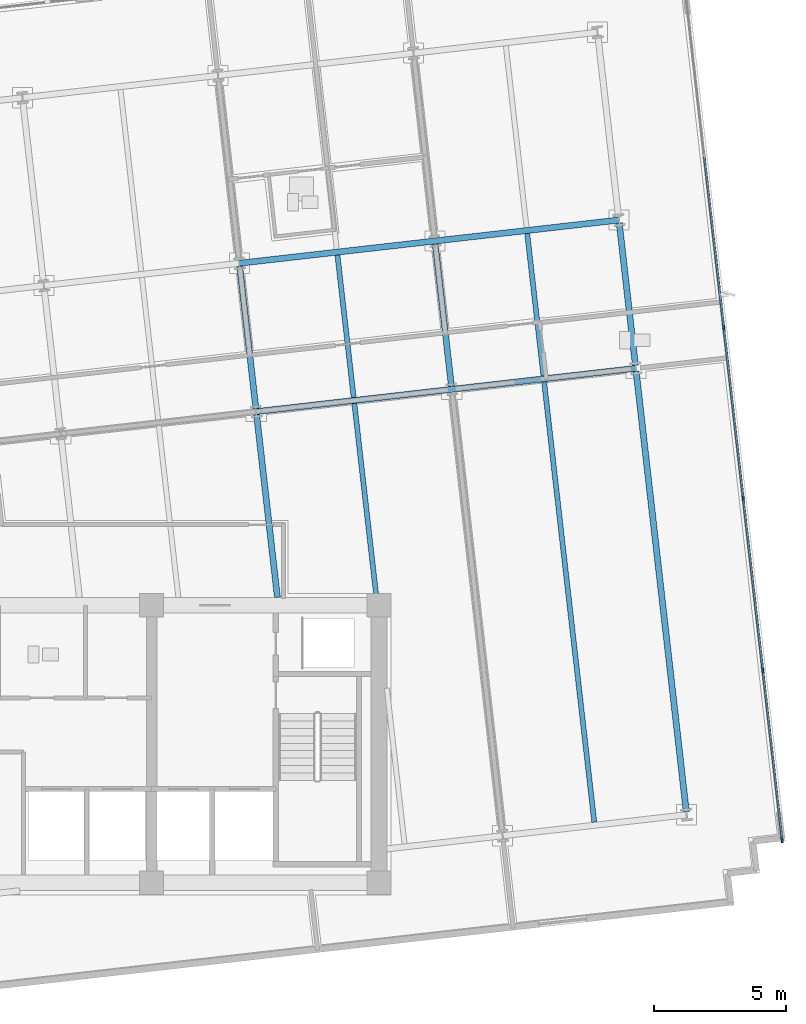
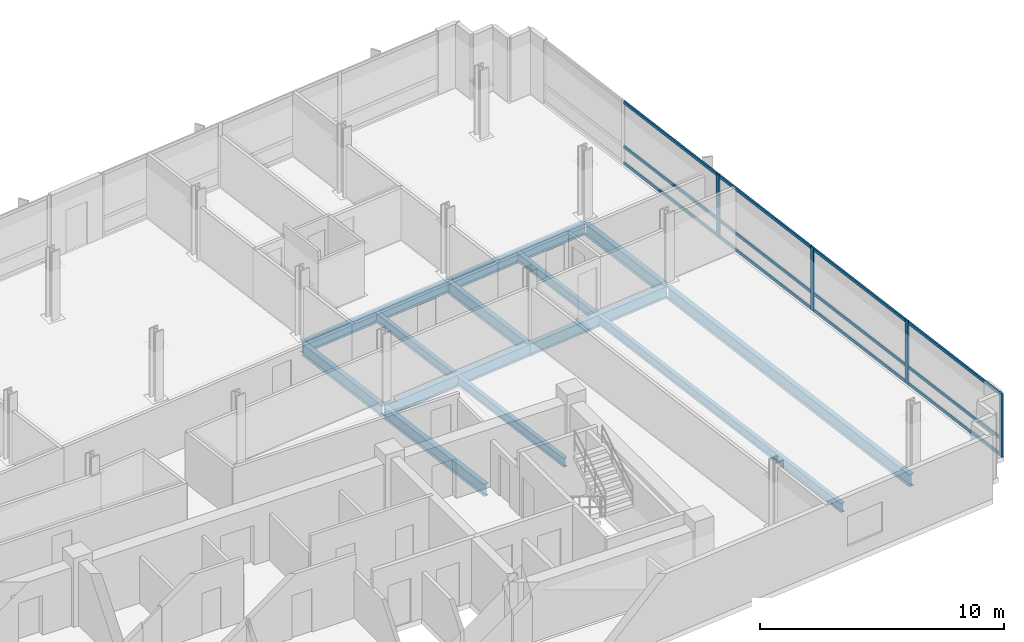
# One storey, part 4 of 15: 16 members, 13 beams, 1 element without a shape of its own.
"""IFC4 building model written with IfcOpenShell, lengths in metres."""

from ifc_helpers import new_model, si_unit, direction, frame, origin, origin_2d, place, context, subcontext, project, spatial, rectangle, i_section, extrude, material, material_profile, profile_set, type_object, element, aggregate, save


model = new_model("IFC4")

# Units and contexts
model_context = context("Model", 3, precision=1e-05, world=origin(), true_north=direction((0.0, 1.0)))
body_context = subcontext(model_context, "Body", "Model", "MODEL_VIEW")
ifc_project = project(units=[si_unit("LENGTHUNIT", "METRE"), si_unit("AREAUNIT", "SQUARE_METRE"), si_unit("VOLUMEUNIT", "CUBIC_METRE"), si_unit("PLANEANGLEUNIT", "RADIAN"), si_unit("MASSUNIT", "GRAM", prefix="KILO")], contexts=[model_context])

# Site, building, storey
site_placement = place(None, origin())
site = spatial("IfcSite", under=ifc_project, at=site_placement, CompositionType="ELEMENT")
building_placement = place(site_placement, origin())
building = spatial("IfcBuilding", under=site, at=building_placement, Name="Solmavex Isthmus Hotel", CompositionType="ELEMENT")
storey_placement = place(building_placement, frame((0.0, 0.0, 226.199951171875)))
storey = spatial("IfcBuildingStorey", under=building, at=storey_placement, Name="L61", CompositionType="ELEMENT", Elevation=226.199951171875)

# Beams
ifc_material_1 = material(Name="Steel ASTM A992 Grade 50", Category="steel")
ifc_material_profile_1 = material_profile(ifc_material_1, i_section(OverallWidth=0.1904296875, OverallDepth=0.456787109375, WebThickness=0.009033203125, FlangeThickness=0.014404296875, FilletRadius=0.0126953125, at=origin_2d()), Name="W18X50")
ifc_profile_set_1 = profile_set([ifc_material_profile_1], Name="Steel ASTM A992 Grade 50")
beam_type_1 = type_object("IfcBeamType", Name="BM-BJ-W18X50", PredefinedType="JOIST", material=ifc_profile_set_1)
beam_1_placement = place(storey_placement, frame((15.908447265625, -2.199951171875, -0.48828125), z_axis=(-0.113224925382, 0.99356938171, 0.0), x_axis=(-0.99356938171, -0.113224925382, 0.0)))
element("IfcBeam", 1, at=beam_1_placement, inside=storey, type_object=beam_type_1, Name="Secondary Floor Joist L61-J16", PredefinedType="JOIST", context=body_context, shape_type="SweptSolid", body=[
    extrude(i_section(OverallWidth=0.1904296875, OverallDepth=0.456787109375, WebThickness=0.009033203125, FlangeThickness=0.014404296875, FilletRadius=0.0126953125, at=origin_2d()), origin(), (0.0, 0.0, 1.0), 7.38525390625),
])
beam_2_placement = place(storey_placement, frame((15.046630859375, 5.364013671875, -0.48828125), z_axis=(-0.113189626161, 0.993573403695, 0.0), x_axis=(-0.993573403695, -0.113189626161, 0.0)))
element("IfcBeam", 2, at=beam_2_placement, inside=storey, type_object=beam_type_1, Name="Secondary Floor Joist L61-J17", PredefinedType="JOIST", context=body_context, shape_type="SweptSolid", body=[
    extrude(i_section(OverallWidth=0.1904296875, OverallDepth=0.456787109375, WebThickness=0.009033203125, FlangeThickness=0.014404296875, FilletRadius=0.0126953125, at=origin_2d()), origin(), (0.0, 0.0, 1.0), 5.42041015625),
])
beam_3_placement = place(storey_placement, frame((24.1513671875, -10.707275390625, -0.48828125), z_axis=(-0.113198426291, 0.993572401129, 0.0), x_axis=(-0.993572401129, -0.113198426291, 0.0)))
element("IfcBeam", 3, at=beam_3_placement, inside=storey, type_object=beam_type_1, Name="Secondary Floor Joist L61-J19", PredefinedType="JOIST", context=body_context, shape_type="SweptSolid", body=[
    extrude(i_section(OverallWidth=0.1904296875, OverallDepth=0.456787109375, WebThickness=0.009033203125, FlangeThickness=0.014404296875, FilletRadius=0.0126953125, at=origin_2d()), origin(), (0.0, 0.0, 1.0), 16.77099609375),
])
beam_4_placement = place(storey_placement, frame((22.22705078125, 6.18212890625, -0.48828125), z_axis=(-0.113189626161, 0.993573403695, 0.0), x_axis=(-0.993573403695, -0.113189626161, 0.0)))
element("IfcBeam", 4, at=beam_4_placement, inside=storey, type_object=beam_type_1, Name="Secondary Floor Joist L61-J20", PredefinedType="JOIST", context=body_context, shape_type="SweptSolid", body=[
    extrude(i_section(OverallWidth=0.1904296875, OverallDepth=0.456787109375, WebThickness=0.009033203125, FlangeThickness=0.014404296875, FilletRadius=0.0126953125, at=origin_2d()), origin(), (0.0, 0.0, 1.0), 5.42041015625),
])
ifc_material_profile_2 = material_profile(ifc_material_1, i_section(OverallWidth=0.227783203125, OverallDepth=0.602783203125, WebThickness=0.010498046875, FlangeThickness=0.014892578125, FilletRadius=0.01513671875, at=origin_2d()), Name="W24X68")
ifc_profile_set_2 = profile_set([ifc_material_profile_2], Name="Steel ASTM A992 Grade 50")
beam_type_2 = type_object("IfcBeamType", Name="BM-BM-W24X68", PredefinedType="BEAM", material=ifc_profile_set_2)
beam_5_placement = place(storey_placement, frame((11.3603515625, 4.829345703125, -0.561279296875), z_axis=(0.9935703463, 0.113216460607, 0.0), x_axis=(-0.113216460607, 0.9935703463, 0.0)))
element("IfcBeam", 5, at=beam_5_placement, inside=storey, type_object=beam_type_2, Name="Floor Girder L61-UG10", PredefinedType="BEAM", context=body_context, shape_type="SweptSolid", body=[
    extrude(i_section(OverallWidth=0.227783203125, OverallDepth=0.602783203125, WebThickness=0.010498046875, FlangeThickness=0.014892578125, FilletRadius=0.01513671875, at=origin_2d()), origin(), (0.0, 0.0, 1.0), 7.446044921875),
])
beam_6_placement = place(storey_placement, frame((18.758544921875, 5.67236328125, -0.561279296875), z_axis=(0.99357359356, 0.113187959519, 0.0), x_axis=(-0.113187959519, 0.99357359356, 0.0)))
element("IfcBeam", 6, at=beam_6_placement, inside=storey, type_object=beam_type_2, Name="Floor Girder L61-UG11", PredefinedType="BEAM", context=body_context, shape_type="SweptSolid", body=[
    extrude(i_section(OverallWidth=0.227783203125, OverallDepth=0.602783203125, WebThickness=0.010498046875, FlangeThickness=0.014892578125, FilletRadius=0.01513671875, at=origin_2d()), origin(), (0.0, 0.0, 1.0), 7.0078125),
])
beam_7_placement = place(storey_placement, frame((10.720947265625, 10.441162109375, -0.561279296875), z_axis=(0.993574034044, 0.113184092846, 0.0), x_axis=(-0.113184092846, 0.993574034044, 0.0)))
element("IfcBeam", 7, at=beam_7_placement, inside=storey, type_object=beam_type_2, Name="Floor Girder L61-UG16", PredefinedType="BEAM", context=body_context, shape_type="SweptSolid", body=[
    extrude(i_section(OverallWidth=0.227783203125, OverallDepth=0.602783203125, WebThickness=0.010498046875, FlangeThickness=0.014892578125, FilletRadius=0.01513671875, at=origin_2d()), origin(), (0.0, 0.0, 1.0), 7.446044921875),
])
beam_8_placement = place(storey_placement, frame((18.119140625, 11.283935546875, -0.561279296875), z_axis=(0.993569675103, 0.113222350774, 0.0), x_axis=(-0.113222350774, 0.993569675103, 0.0)))
element("IfcBeam", 8, at=beam_8_placement, inside=storey, type_object=beam_type_2, Name="Floor Girder L61-UG17", PredefinedType="BEAM", context=body_context, shape_type="SweptSolid", body=[
    extrude(i_section(OverallWidth=0.227783203125, OverallDepth=0.602783203125, WebThickness=0.010498046875, FlangeThickness=0.014892578125, FilletRadius=0.01513671875, at=origin_2d()), origin(), (0.0, 0.0, 1.0), 7.008056640625),
])
beam_9_placement = place(storey_placement, frame((12.161376953125, -2.199951171875, -0.561279296875), z_axis=(-0.113214229187, 0.993570600566, 0.0), x_axis=(-0.993570600566, -0.113214229187, 0.0)))
element("IfcBeam", 9, at=beam_9_placement, inside=storey, type_object=beam_type_2, Name="Floor Beam L61-VG37", PredefinedType="BEAM", context=body_context, shape_type="SweptSolid", body=[
    extrude(i_section(OverallWidth=0.227783203125, OverallDepth=0.602783203125, WebThickness=0.010498046875, FlangeThickness=0.014892578125, FilletRadius=0.01513671875, at=origin_2d()), origin(), (0.0, 0.0, 1.0), 6.9609375),
])
beam_10_placement = place(storey_placement, frame((11.347412109375, 4.942626953125, -0.561279296875), z_axis=(-0.113194691868, 0.993572826587, 0.0), x_axis=(-0.993572826587, -0.113194691868, 0.0)))
element("IfcBeam", 10, at=beam_10_placement, inside=storey, type_object=beam_type_2, Name="Floor Beam L61-VG38", PredefinedType="BEAM", context=body_context, shape_type="SweptSolid", body=[
    extrude(i_section(OverallWidth=0.227783203125, OverallDepth=0.602783203125, WebThickness=0.010498046875, FlangeThickness=0.014892578125, FilletRadius=0.01513671875, at=origin_2d()), origin(), (0.0, 0.0, 1.0), 5.420166015625),
])
beam_11_placement = place(storey_placement, frame((18.74560546875, 5.785400390625, -0.561279296875), z_axis=(-0.113189626161, 0.993573403695, 0.0), x_axis=(-0.993573403695, -0.113189626161, 0.0)))
element("IfcBeam", 11, at=beam_11_placement, inside=storey, type_object=beam_type_2, Name="Floor Beam L61-VG41", PredefinedType="BEAM", context=body_context, shape_type="SweptSolid", body=[
    extrude(i_section(OverallWidth=0.227783203125, OverallDepth=0.602783203125, WebThickness=0.010498046875, FlangeThickness=0.014892578125, FilletRadius=0.01513671875, at=origin_2d()), origin(), (0.0, 0.0, 1.0), 5.42041015625),
])
ifc_material_profile_3 = material_profile(ifc_material_1, i_section(OverallWidth=0.230224609375, OverallDepth=0.617431640625, WebThickness=0.01318359375, FlangeThickness=0.022216796875, FilletRadius=0.01513671875, at=origin_2d()), Name="W24X94")
ifc_profile_set_3 = profile_set([ifc_material_profile_3], Name="Steel ASTM A992 Grade 50")
beam_type_3 = type_object("IfcBeamType", Name="BM-SP-W24X94", PredefinedType="SPANDREL", material=ifc_profile_set_3)
beam_12_placement = place(storey_placement, frame((27.6328125, -10.310546875, -0.568603515625), z_axis=(-0.113198426291, 0.993572401129, 0.0), x_axis=(-0.993572401129, -0.113198426291, 0.0)))
element("IfcBeam", 12, at=beam_12_placement, inside=storey, type_object=beam_type_3, Name="Floor Beam L61-VG43", PredefinedType="SPANDREL", context=body_context, shape_type="SweptSolid", body=[
    extrude(i_section(OverallWidth=0.230224609375, OverallDepth=0.617431640625, WebThickness=0.01318359375, FlangeThickness=0.022216796875, FilletRadius=0.01513671875, at=origin_2d()), origin(), (0.0, 0.0, 1.0), 16.77099609375),
])
beam_13_placement = place(storey_placement, frame((25.70849609375, 6.578857421875, -0.568603515625), z_axis=(-0.113194691868, 0.993572826587, 0.0), x_axis=(-0.993572826587, -0.113194691868, 0.0)))
element("IfcBeam", 13, at=beam_13_placement, inside=storey, type_object=beam_type_3, Name="Floor Beam L61-VG44", PredefinedType="SPANDREL", context=body_context, shape_type="SweptSolid", body=[
    extrude(i_section(OverallWidth=0.230224609375, OverallDepth=0.617431640625, WebThickness=0.01318359375, FlangeThickness=0.022216796875, FilletRadius=0.01513671875, at=origin_2d()), origin(), (0.0, 0.0, 1.0), 5.420166015625),
])

# Curtain wall, members
ifc_material_2 = material(Name="Aluminium alloy 6063-T6", Category="aluminium")
curtain_wall_type = type_object("IfcCurtainWallType", Name="CW-SYS-04", PredefinedType="NOTDEFINED", material=ifc_material_2)
curtain_wall_placement = place(storey_placement, origin())
curtain_wall = element("IfcCurtainWall", 14, at=curtain_wall_placement, inside=storey, type_object=curtain_wall_type, Name="Stick Curtain Wall CWL-L61-E1", PredefinedType="NOTDEFINED")
ifc_material_profile_4 = material_profile(ifc_material_2, rectangle(XDim=0.074951171875, YDim=0.199951171875, at=origin_2d()), Name="CWM-75X200")
ifc_profile_set_4 = profile_set([ifc_material_profile_4], Name="Aluminium alloy 6063-T6")
member_type_1 = type_object("IfcMemberType", Name="CW-SYS-04-MUL", PredefinedType="MULLION", material=ifc_profile_set_4)
member_1_placement = place(storey_placement, frame((31.2578125, -11.384765625, 0.0), z_axis=(0.0, 0.0, 1.0), x_axis=(-0.993571836648, -0.11320338078, 0.0)))
member_1 = element("IfcMember", 15, at=member_1_placement, type_object=member_type_1, Name="CW-04 mullion 1", PredefinedType="MULLION", context=body_context, shape_type="SweptSolid", body=[
    extrude(rectangle(XDim=0.074951171875, YDim=0.199951171875, at=origin_2d()), origin(), (0.0, 0.0, 1.0), 3.18994140625),
])
member_2_placement = place(storey_placement, frame((30.52392578125, -4.944091796875, 0.0), z_axis=(0.0, 0.0, 1.0), x_axis=(-0.993571836648, -0.11320338078, 0.0)))
member_2 = element("IfcMember", 16, at=member_2_placement, type_object=member_type_1, Name="CW-04 mullion 2", PredefinedType="MULLION", context=body_context, shape_type="SweptSolid", body=[
    extrude(rectangle(XDim=0.074951171875, YDim=0.199951171875, at=origin_2d()), origin(), (0.0, 0.0, 1.0), 3.18994140625),
])
member_3_placement = place(storey_placement, frame((29.785888671875, 1.533935546875, 0.0), z_axis=(0.0, 0.0, 1.0), x_axis=(-0.993571836648, -0.11320338078, 0.0)))
member_3 = element("IfcMember", 17, at=member_3_placement, type_object=member_type_1, Name="CW-04 mullion 3", PredefinedType="MULLION", context=body_context, shape_type="SweptSolid", body=[
    extrude(rectangle(XDim=0.074951171875, YDim=0.199951171875, at=origin_2d()), origin(), (0.0, 0.0, 1.0), 3.18994140625),
])
member_4_placement = place(storey_placement, frame((29.0478515625, 8.01220703125, 0.0), z_axis=(0.0, 0.0, 1.0), x_axis=(-0.993571836648, -0.11320338078, 0.0)))
member_4 = element("IfcMember", 18, at=member_4_placement, type_object=member_type_1, Name="CW-04 mullion 4", PredefinedType="MULLION", context=body_context, shape_type="SweptSolid", body=[
    extrude(rectangle(XDim=0.074951171875, YDim=0.199951171875, at=origin_2d()), origin(), (0.0, 0.0, 1.0), 3.18994140625),
])
ifc_material_profile_5 = material_profile(ifc_material_2, rectangle(XDim=0.074951171875, YDim=0.14990234375, at=origin_2d()), Name="CWT-75X150")
ifc_profile_set_5 = profile_set([ifc_material_profile_5], Name="Aluminium alloy 6063-T6")
member_type_2 = type_object("IfcMemberType", Name="CW-SYS-04-TRN", PredefinedType="USERDEFINED", material=ifc_profile_set_5)
member_5_placement = place(storey_placement, frame((31.253662109375, -11.34765625, 0.074951171875), z_axis=(-0.113199495412, 0.993572279323, 0.0), x_axis=(-0.993572279323, -0.113199495412, 0.0)))
member_5 = element("IfcMember", 19, at=member_5_placement, type_object=member_type_2, Name="CW-04 transom 1.1", ObjectType="TRANSOM", PredefinedType="USERDEFINED", context=body_context, shape_type="SweptSolid", body=[
    extrude(rectangle(XDim=0.074951171875, YDim=0.14990234375, at=origin_2d()), origin(), (0.0, 0.0, 1.0), 6.40771484375),
])
member_6_placement = place(storey_placement, frame((31.253662109375, -11.34765625, 0.900146484375), z_axis=(-0.113199495412, 0.993572279323, 0.0), x_axis=(-0.993572279323, -0.113199495412, 0.0)))
member_6 = element("IfcMember", 20, at=member_6_placement, type_object=member_type_2, Name="CW-04 transom 1.2", ObjectType="TRANSOM", PredefinedType="USERDEFINED", context=body_context, shape_type="SweptSolid", body=[
    extrude(rectangle(XDim=0.074951171875, YDim=0.14990234375, at=origin_2d()), origin(), (0.0, 0.0, 1.0), 6.40771484375),
])
member_7_placement = place(storey_placement, frame((31.253662109375, -11.34765625, 3.114990234375), z_axis=(-0.113199495412, 0.993572279323, 0.0), x_axis=(-0.993572279323, -0.113199495412, 0.0)))
member_7 = element("IfcMember", 21, at=member_7_placement, type_object=member_type_2, Name="CW-04 transom 1.3", ObjectType="TRANSOM", PredefinedType="USERDEFINED", context=body_context, shape_type="SweptSolid", body=[
    extrude(rectangle(XDim=0.074951171875, YDim=0.14990234375, at=origin_2d()), origin(), (0.0, 0.0, 1.0), 6.40771484375),
])
member_8_placement = place(storey_placement, frame((30.519775390625, -4.90673828125, 0.074951171875), z_axis=(-0.113225012477, 0.993569371785, 0.0), x_axis=(-0.993569371785, -0.113225012477, 0.0)))
member_8 = element("IfcMember", 22, at=member_8_placement, type_object=member_type_2, Name="CW-04 transom 2.1", ObjectType="TRANSOM", PredefinedType="USERDEFINED", context=body_context, shape_type="SweptSolid", body=[
    extrude(rectangle(XDim=0.074951171875, YDim=0.14990234375, at=origin_2d()), origin(), (0.0, 0.0, 1.0), 6.445068359375),
])
member_9_placement = place(storey_placement, frame((30.519775390625, -4.90673828125, 0.900146484375), z_axis=(-0.113225012477, 0.993569371785, 0.0), x_axis=(-0.993569371785, -0.113225012477, 0.0)))
member_9 = element("IfcMember", 23, at=member_9_placement, type_object=member_type_2, Name="CW-04 transom 2.2", ObjectType="TRANSOM", PredefinedType="USERDEFINED", context=body_context, shape_type="SweptSolid", body=[
    extrude(rectangle(XDim=0.074951171875, YDim=0.14990234375, at=origin_2d()), origin(), (0.0, 0.0, 1.0), 6.445068359375),
])
member_10_placement = place(storey_placement, frame((30.519775390625, -4.90673828125, 3.114990234375), z_axis=(-0.113225012477, 0.993569371785, 0.0), x_axis=(-0.993569371785, -0.113225012477, 0.0)))
member_10 = element("IfcMember", 24, at=member_10_placement, type_object=member_type_2, Name="CW-04 transom 2.3", ObjectType="TRANSOM", PredefinedType="USERDEFINED", context=body_context, shape_type="SweptSolid", body=[
    extrude(rectangle(XDim=0.074951171875, YDim=0.14990234375, at=origin_2d()), origin(), (0.0, 0.0, 1.0), 6.445068359375),
])
member_11_placement = place(storey_placement, frame((29.78173828125, 1.5712890625, 0.074951171875), z_axis=(-0.113225012477, 0.993569371785, 0.0), x_axis=(-0.993569371785, -0.113225012477, 0.0)))
member_11 = element("IfcMember", 25, at=member_11_placement, type_object=member_type_2, Name="CW-04 transom 3.1", ObjectType="TRANSOM", PredefinedType="USERDEFINED", context=body_context, shape_type="SweptSolid", body=[
    extrude(rectangle(XDim=0.074951171875, YDim=0.14990234375, at=origin_2d()), origin(), (0.0, 0.0, 1.0), 6.445068359375),
])
member_12_placement = place(storey_placement, frame((29.78173828125, 1.5712890625, 0.900146484375), z_axis=(-0.113225012477, 0.993569371785, 0.0), x_axis=(-0.993569371785, -0.113225012477, 0.0)))
member_12 = element("IfcMember", 26, at=member_12_placement, type_object=member_type_2, Name="CW-04 transom 3.2", ObjectType="TRANSOM", PredefinedType="USERDEFINED", context=body_context, shape_type="SweptSolid", body=[
    extrude(rectangle(XDim=0.074951171875, YDim=0.14990234375, at=origin_2d()), origin(), (0.0, 0.0, 1.0), 6.445068359375),
])
member_13_placement = place(storey_placement, frame((29.78173828125, 1.5712890625, 3.114990234375), z_axis=(-0.113225012477, 0.993569371785, 0.0), x_axis=(-0.993569371785, -0.113225012477, 0.0)))
member_13 = element("IfcMember", 27, at=member_13_placement, type_object=member_type_2, Name="CW-04 transom 3.3", ObjectType="TRANSOM", PredefinedType="USERDEFINED", context=body_context, shape_type="SweptSolid", body=[
    extrude(rectangle(XDim=0.074951171875, YDim=0.14990234375, at=origin_2d()), origin(), (0.0, 0.0, 1.0), 6.445068359375),
])
member_14_placement = place(storey_placement, frame((29.04345703125, 8.04931640625, 0.074951171875), z_axis=(-0.113187617296, 0.993573632546, 0.0), x_axis=(-0.993573632546, -0.113187617296, 0.0)))
member_14 = element("IfcMember", 28, at=member_14_placement, type_object=member_type_2, Name="CW-04 transom 4.1", ObjectType="TRANSOM", PredefinedType="USERDEFINED", context=body_context, shape_type="SweptSolid", body=[
    extrude(rectangle(XDim=0.074951171875, YDim=0.14990234375, at=origin_2d()), origin(), (0.0, 0.0, 1.0), 6.445068359375),
])
member_15_placement = place(storey_placement, frame((29.04345703125, 8.04931640625, 0.900146484375), z_axis=(-0.113187617296, 0.993573632546, 0.0), x_axis=(-0.993573632546, -0.113187617296, 0.0)))
member_15 = element("IfcMember", 29, at=member_15_placement, type_object=member_type_2, Name="CW-04 transom 4.2", ObjectType="TRANSOM", PredefinedType="USERDEFINED", context=body_context, shape_type="SweptSolid", body=[
    extrude(rectangle(XDim=0.074951171875, YDim=0.14990234375, at=origin_2d()), origin(), (0.0, 0.0, 1.0), 6.445068359375),
])
member_16_placement = place(storey_placement, frame((29.04345703125, 8.04931640625, 3.114990234375), z_axis=(-0.113187617296, 0.993573632546, 0.0), x_axis=(-0.993573632546, -0.113187617296, 0.0)))
member_16 = element("IfcMember", 30, at=member_16_placement, type_object=member_type_2, Name="CW-04 transom 4.3", ObjectType="TRANSOM", PredefinedType="USERDEFINED", context=body_context, shape_type="SweptSolid", body=[
    extrude(rectangle(XDim=0.074951171875, YDim=0.14990234375, at=origin_2d()), origin(), (0.0, 0.0, 1.0), 6.445068359375),
])
aggregate(curtain_wall, [member_1, member_2, member_3, member_4, member_5, member_6, member_7, member_8, member_9, member_10, member_11, member_12, member_13, member_14, member_15, member_16])

save(model, "model.ifc")
